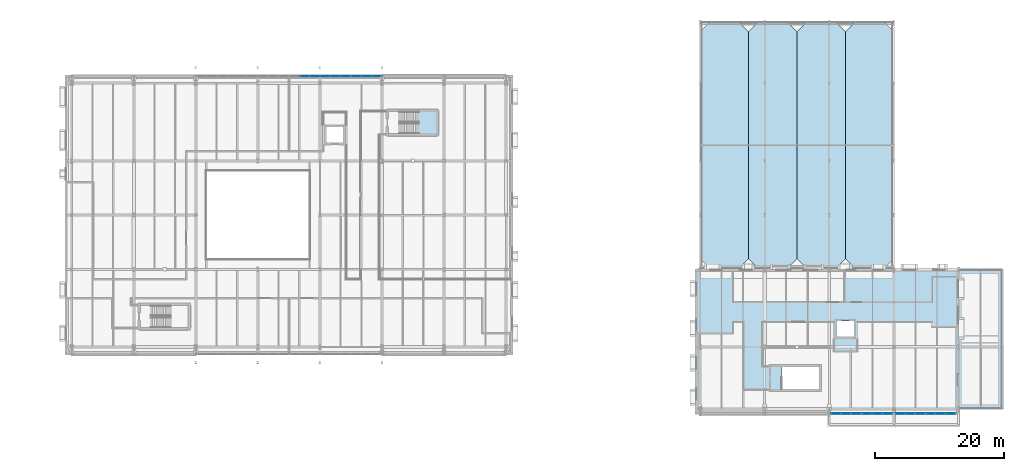
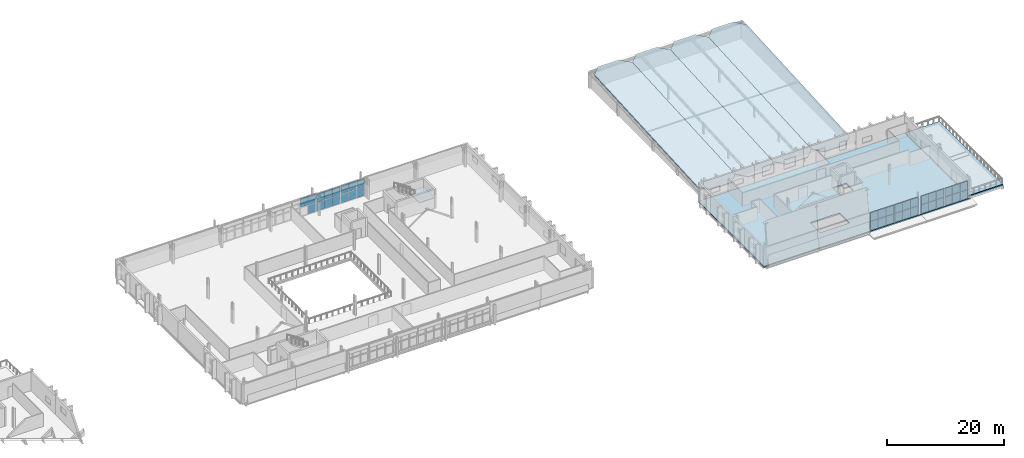
# One storey, part 31 of 57: 39 plates, 7 slabs, 9 elements without a shape of their own.
"""IFC4 building model written with IfcOpenShell, lengths in metres."""

from ifc_helpers import new_model, si_unit, direction, frame, origin, origin_2d, place, context, subcontext, project, spatial, polyline, rectangle, outline, extrude, material, layer, layer_set, type_object, element, aggregate, save


model = new_model("IFC4")

# Units and contexts
model_context = context("Model", 3, precision=1e-05, world=origin(), true_north=direction((0.0, 1.0)))
body_context = subcontext(model_context, "Body", "Model", "MODEL_VIEW")
ifc_project = project(units=[si_unit("LENGTHUNIT", "METRE"), si_unit("AREAUNIT", "SQUARE_METRE"), si_unit("VOLUMEUNIT", "CUBIC_METRE"), si_unit("PLANEANGLEUNIT", "RADIAN"), si_unit("MASSUNIT", "GRAM", prefix="KILO")], contexts=[model_context])

# Site, building, storey
site_placement = place(None, origin())
site = spatial("IfcSite", under=ifc_project, at=site_placement, CompositionType="ELEMENT")
building_placement = place(site_placement, origin())
building = spatial("IfcBuilding", under=site, at=building_placement, Name="Zereglee Splitstone Museum", CompositionType="ELEMENT")
storey_placement = place(building_placement, frame((0.0, 0.0, 17.10009765625)))
storey = spatial("IfcBuildingStorey", under=building, at=storey_placement, Name="L03", CompositionType="ELEMENT", Elevation=17.10009765625)

# Curtain wall, plates
ifc_material_1 = material(Name="Triple-glazed low-E argon glass and bronze-anodised aluminium", Category="aluminium")
ifc_layer_1 = layer(ifc_material_1, 0.219970703125)
ifc_layer_set_1 = layer_set([ifc_layer_1], Name="Triple-glazed low-E argon glass and bronze-anodised aluminium")
curtain_wall_type_1 = type_object("IfcCurtainWallType", Name="CW-0475-384", PredefinedType="USERDEFINED", material=ifc_layer_set_1)
curtain_wall_1_placement = place(storey_placement, origin())
curtain_wall_1 = element("IfcCurtainWall", 1, at=curtain_wall_1_placement, inside=storey, type_object=curtain_wall_type_1, Name="Glazed Curtain Wall CW-0475-384 (L03)", ObjectType="GLAZED CURTAIN WALL", PredefinedType="USERDEFINED")
ifc_material_2 = material(Name="Triple low-e argon insulated safety glass", Category="glass")
ifc_layer_2 = layer(ifc_material_2, 0.035888671875)
ifc_layer_set_2 = layer_set([ifc_layer_2], Name="Triple low-e argon insulated safety glass")
plate_type = type_object("IfcPlateType", Name="CWP-01", PredefinedType="CURTAIN_PANEL", material=ifc_layer_set_2)
plate_1_placement = place(storey_placement, frame((196.218505859375, -0.679931640625, 0.074951171875), z_axis=(0.0, 0.0, 1.0), x_axis=(1.0, 0.0, 0.0)))
plate_1 = element("IfcPlate", 2, at=plate_1_placement, type_object=plate_type, Name="CW-0475-384 panel 1.1", PredefinedType="CURTAIN_PANEL", context=body_context, shape_type="SweptSolid", body=[
    extrude(rectangle(XDim=1.470947265625, YDim=0.035888671875, at=origin_2d()), origin(), (0.0, 0.0, 1.0), 1.8076171875),
])
plate_2_placement = place(storey_placement, frame((196.218505859375, -0.679931640625, 1.957275390625), z_axis=(0.0, 0.0, 1.0), x_axis=(1.0, 0.0, 0.0)))
plate_2 = element("IfcPlate", 3, at=plate_2_placement, type_object=plate_type, Name="CW-0475-384 panel 1.2", PredefinedType="CURTAIN_PANEL", context=body_context, shape_type="SweptSolid", body=[
    extrude(rectangle(XDim=1.470947265625, YDim=0.035888671875, at=origin_2d()), origin(), (0.0, 0.0, 1.0), 1.8076171875),
])
plate_3_placement = place(storey_placement, frame((197.783203125, -0.679931640625, 0.074951171875), z_axis=(0.0, 0.0, 1.0), x_axis=(1.0, 0.0, 0.0)))
plate_3 = element("IfcPlate", 4, at=plate_3_placement, type_object=plate_type, Name="CW-0475-384 panel 2.1", PredefinedType="CURTAIN_PANEL", context=body_context, shape_type="SweptSolid", body=[
    extrude(rectangle(XDim=1.508544921875, YDim=0.035888671875, at=origin_2d()), origin(), (0.0, 0.0, 1.0), 1.8076171875),
])
plate_4_placement = place(storey_placement, frame((197.783203125, -0.679931640625, 1.957275390625), z_axis=(0.0, 0.0, 1.0), x_axis=(1.0, 0.0, 0.0)))
plate_4 = element("IfcPlate", 5, at=plate_4_placement, type_object=plate_type, Name="CW-0475-384 panel 2.2", PredefinedType="CURTAIN_PANEL", context=body_context, shape_type="SweptSolid", body=[
    extrude(rectangle(XDim=1.508544921875, YDim=0.035888671875, at=origin_2d()), origin(), (0.0, 0.0, 1.0), 1.8076171875),
])
plate_5_placement = place(storey_placement, frame((199.347900390625, -0.679931640625, 0.074951171875), z_axis=(0.0, 0.0, 1.0), x_axis=(1.0, 0.0, 0.0)))
plate_5 = element("IfcPlate", 6, at=plate_5_placement, type_object=plate_type, Name="CW-0475-384 panel 3.1", PredefinedType="CURTAIN_PANEL", context=body_context, shape_type="SweptSolid", body=[
    extrude(rectangle(XDim=1.470947265625, YDim=0.035888671875, at=origin_2d()), origin(), (0.0, 0.0, 1.0), 1.8076171875),
])
plate_6_placement = place(storey_placement, frame((199.347900390625, -0.679931640625, 1.957275390625), z_axis=(0.0, 0.0, 1.0), x_axis=(1.0, 0.0, 0.0)))
plate_6 = element("IfcPlate", 7, at=plate_6_placement, type_object=plate_type, Name="CW-0475-384 panel 3.2", PredefinedType="CURTAIN_PANEL", context=body_context, shape_type="SweptSolid", body=[
    extrude(rectangle(XDim=1.470947265625, YDim=0.035888671875, at=origin_2d()), origin(), (0.0, 0.0, 1.0), 1.8076171875),
])
aggregate(curtain_wall_1, [plate_1, plate_2, plate_3, plate_4, plate_5, plate_6])

ifc_layer_3 = layer(ifc_material_1, 0.219970703125)
ifc_layer_set_3 = layer_set([ifc_layer_3], Name="Triple-glazed low-E argon glass and bronze-anodised aluminium")
curtain_wall_type_2 = type_object("IfcCurtainWallType", Name="CW-0475-382", PredefinedType="USERDEFINED", material=ifc_layer_set_3)
curtain_wall_2_placement = place(storey_placement, origin())
curtain_wall_2 = element("IfcCurtainWall", 8, at=curtain_wall_2_placement, inside=storey, type_object=curtain_wall_type_2, Name="Glazed Curtain Wall CW-0475-382 (L03)", ObjectType="GLAZED CURTAIN WALL", PredefinedType="USERDEFINED")
plate_7_placement = place(storey_placement, frame((201.048828125, -0.679931640625, 0.07470703125), z_axis=(0.0, 0.0, 1.0), x_axis=(1.0, 0.0, 0.0)))
plate_7 = element("IfcPlate", 9, at=plate_7_placement, type_object=plate_type, Name="CW-0475-382 panel 1.1", PredefinedType="CURTAIN_PANEL", context=body_context, shape_type="SweptSolid", body=[
    extrude(rectangle(XDim=1.470947265625, YDim=0.035888671875, at=origin_2d()), origin(), (0.0, 0.0, 1.0), 1.797607421875),
])
plate_8_placement = place(storey_placement, frame((201.048828125, -0.679931640625, 1.947265625), z_axis=(0.0, 0.0, 1.0), x_axis=(1.0, 0.0, 0.0)))
plate_8 = element("IfcPlate", 10, at=plate_8_placement, type_object=plate_type, Name="CW-0475-382 panel 1.2", PredefinedType="CURTAIN_PANEL", context=body_context, shape_type="SweptSolid", body=[
    extrude(rectangle(XDim=1.470947265625, YDim=0.035888671875, at=origin_2d()), origin(), (0.0, 0.0, 1.0), 1.797607421875),
])
plate_9_placement = place(storey_placement, frame((202.613525390625, -0.679931640625, 0.07470703125), z_axis=(0.0, 0.0, 1.0), x_axis=(1.0, 0.0, 0.0)))
plate_9 = element("IfcPlate", 11, at=plate_9_placement, type_object=plate_type, Name="CW-0475-382 panel 2.1", PredefinedType="CURTAIN_PANEL", context=body_context, shape_type="SweptSolid", body=[
    extrude(rectangle(XDim=1.508544921875, YDim=0.035888671875, at=origin_2d()), origin(), (0.0, 0.0, 1.0), 1.797607421875),
])
plate_10_placement = place(storey_placement, frame((202.613525390625, -0.679931640625, 1.947265625), z_axis=(0.0, 0.0, 1.0), x_axis=(1.0, 0.0, 0.0)))
plate_10 = element("IfcPlate", 12, at=plate_10_placement, type_object=plate_type, Name="CW-0475-382 panel 2.2", PredefinedType="CURTAIN_PANEL", context=body_context, shape_type="SweptSolid", body=[
    extrude(rectangle(XDim=1.508544921875, YDim=0.035888671875, at=origin_2d()), origin(), (0.0, 0.0, 1.0), 1.797607421875),
])
plate_11_placement = place(storey_placement, frame((204.17822265625, -0.679931640625, 0.07470703125), z_axis=(0.0, 0.0, 1.0), x_axis=(1.0, 0.0, 0.0)))
plate_11 = element("IfcPlate", 13, at=plate_11_placement, type_object=plate_type, Name="CW-0475-382 panel 3.1", PredefinedType="CURTAIN_PANEL", context=body_context, shape_type="SweptSolid", body=[
    extrude(rectangle(XDim=1.470947265625, YDim=0.035888671875, at=origin_2d()), origin(), (0.0, 0.0, 1.0), 1.797607421875),
])
plate_12_placement = place(storey_placement, frame((204.17822265625, -0.679931640625, 1.947265625), z_axis=(0.0, 0.0, 1.0), x_axis=(1.0, 0.0, 0.0)))
plate_12 = element("IfcPlate", 14, at=plate_12_placement, type_object=plate_type, Name="CW-0475-382 panel 3.2", PredefinedType="CURTAIN_PANEL", context=body_context, shape_type="SweptSolid", body=[
    extrude(rectangle(XDim=1.470947265625, YDim=0.035888671875, at=origin_2d()), origin(), (0.0, 0.0, 1.0), 1.797607421875),
])
aggregate(curtain_wall_2, [plate_7, plate_8, plate_9, plate_10, plate_11, plate_12])

ifc_layer_4 = layer(ifc_material_1, 0.219970703125)
ifc_layer_set_4 = layer_set([ifc_layer_4], Name="Triple-glazed low-E argon glass and bronze-anodised aluminium")
curtain_wall_type_3 = type_object("IfcCurtainWallType", Name="CW-0462-378", PredefinedType="USERDEFINED", material=ifc_layer_set_4)
curtain_wall_3_placement = place(storey_placement, origin())
curtain_wall_3 = element("IfcCurtainWall", 15, at=curtain_wall_3_placement, inside=storey, type_object=curtain_wall_type_3, Name="Glazed Curtain Wall CW-0462-378 (L03)", ObjectType="GLAZED CURTAIN WALL", PredefinedType="USERDEFINED")
plate_13_placement = place(storey_placement, frame((206.19921875, -0.679931640625, 0.07470703125), z_axis=(0.0, 0.0, 1.0), x_axis=(1.0, 0.0, 0.0)))
plate_13 = element("IfcPlate", 16, at=plate_13_placement, type_object=plate_type, Name="CW-0462-378 panel 1.1", PredefinedType="CURTAIN_PANEL", context=body_context, shape_type="SweptSolid", body=[
    extrude(rectangle(XDim=1.426025390625, YDim=0.035888671875, at=origin_2d()), origin(), (0.0, 0.0, 1.0), 1.777587890625),
])
plate_14_placement = place(storey_placement, frame((206.19921875, -0.679931640625, 1.92724609375), z_axis=(0.0, 0.0, 1.0), x_axis=(1.0, 0.0, 0.0)))
plate_14 = element("IfcPlate", 17, at=plate_14_placement, type_object=plate_type, Name="CW-0462-378 panel 1.2", PredefinedType="CURTAIN_PANEL", context=body_context, shape_type="SweptSolid", body=[
    extrude(rectangle(XDim=1.426025390625, YDim=0.035888671875, at=origin_2d()), origin(), (0.0, 0.0, 1.0), 1.777587890625),
])
plate_15_placement = place(storey_placement, frame((207.718994140625, -0.679931640625, 0.07470703125), z_axis=(0.0, 0.0, 1.0), x_axis=(1.0, 0.0, 0.0)))
plate_15 = element("IfcPlate", 18, at=plate_15_placement, type_object=plate_type, Name="CW-0462-378 panel 2.1", PredefinedType="CURTAIN_PANEL", context=body_context, shape_type="SweptSolid", body=[
    extrude(rectangle(XDim=1.46337890625, YDim=0.035888671875, at=origin_2d()), origin(), (0.0, 0.0, 1.0), 1.777587890625),
])
plate_16_placement = place(storey_placement, frame((207.718994140625, -0.679931640625, 1.92724609375), z_axis=(0.0, 0.0, 1.0), x_axis=(1.0, 0.0, 0.0)))
plate_16 = element("IfcPlate", 19, at=plate_16_placement, type_object=plate_type, Name="CW-0462-378 panel 2.2", PredefinedType="CURTAIN_PANEL", context=body_context, shape_type="SweptSolid", body=[
    extrude(rectangle(XDim=1.46337890625, YDim=0.035888671875, at=origin_2d()), origin(), (0.0, 0.0, 1.0), 1.777587890625),
])
plate_17_placement = place(storey_placement, frame((209.238525390625, -0.679931640625, 0.07470703125), z_axis=(0.0, 0.0, 1.0), x_axis=(1.0, 0.0, 0.0)))
plate_17 = element("IfcPlate", 20, at=plate_17_placement, type_object=plate_type, Name="CW-0462-378 panel 3.1", PredefinedType="CURTAIN_PANEL", context=body_context, shape_type="SweptSolid", body=[
    extrude(rectangle(XDim=1.426025390625, YDim=0.035888671875, at=origin_2d()), origin(), (0.0, 0.0, 1.0), 1.777587890625),
])
plate_18_placement = place(storey_placement, frame((209.238525390625, -0.679931640625, 1.92724609375), z_axis=(0.0, 0.0, 1.0), x_axis=(1.0, 0.0, 0.0)))
plate_18 = element("IfcPlate", 21, at=plate_18_placement, type_object=plate_type, Name="CW-0462-378 panel 3.2", PredefinedType="CURTAIN_PANEL", context=body_context, shape_type="SweptSolid", body=[
    extrude(rectangle(XDim=1.426025390625, YDim=0.035888671875, at=origin_2d()), origin(), (0.0, 0.0, 1.0), 1.777587890625),
])
aggregate(curtain_wall_3, [plate_13, plate_14, plate_15, plate_16, plate_17, plate_18])

ifc_layer_5 = layer(ifc_material_1, 0.219970703125)
ifc_layer_set_5 = layer_set([ifc_layer_5], Name="Triple-glazed low-E argon glass and bronze-anodised aluminium")
curtain_wall_type_4 = type_object("IfcCurtainWallType", Name="CW-0462-376", PredefinedType="USERDEFINED", material=ifc_layer_set_5)
curtain_wall_4_placement = place(storey_placement, origin())
curtain_wall_4 = element("IfcCurtainWall", 22, at=curtain_wall_4_placement, inside=storey, type_object=curtain_wall_type_4, Name="Glazed Curtain Wall CW-0462-376 (L03)", ObjectType="GLAZED CURTAIN WALL", PredefinedType="USERDEFINED")
plate_19_placement = place(storey_placement, frame((210.89453125, -0.679931640625, 0.074951171875), z_axis=(0.0, 0.0, 1.0), x_axis=(1.0, 0.0, 0.0)))
plate_19 = element("IfcPlate", 23, at=plate_19_placement, type_object=plate_type, Name="CW-0462-376 panel 1.1", PredefinedType="CURTAIN_PANEL", context=body_context, shape_type="SweptSolid", body=[
    extrude(rectangle(XDim=1.426025390625, YDim=0.035888671875, at=origin_2d()), origin(), (0.0, 0.0, 1.0), 1.767578125),
])
plate_20_placement = place(storey_placement, frame((210.89453125, -0.679931640625, 1.91748046875), z_axis=(0.0, 0.0, 1.0), x_axis=(1.0, 0.0, 0.0)))
plate_20 = element("IfcPlate", 24, at=plate_20_placement, type_object=plate_type, Name="CW-0462-376 panel 1.2", PredefinedType="CURTAIN_PANEL", context=body_context, shape_type="SweptSolid", body=[
    extrude(rectangle(XDim=1.426025390625, YDim=0.035888671875, at=origin_2d()), origin(), (0.0, 0.0, 1.0), 1.767578125),
])
plate_21_placement = place(storey_placement, frame((212.414306640625, -0.679931640625, 0.074951171875), z_axis=(0.0, 0.0, 1.0), x_axis=(1.0, 0.0, 0.0)))
plate_21 = element("IfcPlate", 25, at=plate_21_placement, type_object=plate_type, Name="CW-0462-376 panel 2.1", PredefinedType="CURTAIN_PANEL", context=body_context, shape_type="SweptSolid", body=[
    extrude(rectangle(XDim=1.46337890625, YDim=0.035888671875, at=origin_2d()), origin(), (0.0, 0.0, 1.0), 1.767578125),
])
plate_22_placement = place(storey_placement, frame((212.414306640625, -0.679931640625, 1.91748046875), z_axis=(0.0, 0.0, 1.0), x_axis=(1.0, 0.0, 0.0)))
plate_22 = element("IfcPlate", 26, at=plate_22_placement, type_object=plate_type, Name="CW-0462-376 panel 2.2", PredefinedType="CURTAIN_PANEL", context=body_context, shape_type="SweptSolid", body=[
    extrude(rectangle(XDim=1.46337890625, YDim=0.035888671875, at=origin_2d()), origin(), (0.0, 0.0, 1.0), 1.767578125),
])
plate_23_placement = place(storey_placement, frame((213.93408203125, -0.679931640625, 0.074951171875), z_axis=(0.0, 0.0, 1.0), x_axis=(1.0, 0.0, 0.0)))
plate_23 = element("IfcPlate", 27, at=plate_23_placement, type_object=plate_type, Name="CW-0462-376 panel 3.1", PredefinedType="CURTAIN_PANEL", context=body_context, shape_type="SweptSolid", body=[
    extrude(rectangle(XDim=1.426025390625, YDim=0.035888671875, at=origin_2d()), origin(), (0.0, 0.0, 1.0), 1.767578125),
])
plate_24_placement = place(storey_placement, frame((213.93408203125, -0.679931640625, 1.91748046875), z_axis=(0.0, 0.0, 1.0), x_axis=(1.0, 0.0, 0.0)))
plate_24 = element("IfcPlate", 28, at=plate_24_placement, type_object=plate_type, Name="CW-0462-376 panel 3.2", PredefinedType="CURTAIN_PANEL", context=body_context, shape_type="SweptSolid", body=[
    extrude(rectangle(XDim=1.426025390625, YDim=0.035888671875, at=origin_2d()), origin(), (0.0, 0.0, 1.0), 1.767578125),
])
aggregate(curtain_wall_4, [plate_19, plate_20, plate_21, plate_22, plate_23, plate_24])

ifc_layer_6 = layer(ifc_material_1, 0.219970703125)
ifc_layer_set_6 = layer_set([ifc_layer_6], Name="Triple-glazed low-E argon glass and bronze-anodised aluminium")
curtain_wall_type_5 = type_object("IfcCurtainWallType", Name="CW-0476-378", PredefinedType="USERDEFINED", material=ifc_layer_set_6)
curtain_wall_5_placement = place(storey_placement, origin())
curtain_wall_5 = element("IfcCurtainWall", 29, at=curtain_wall_5_placement, inside=storey, type_object=curtain_wall_type_5, Name="Glazed Curtain Wall CW-0476-378 (L03)", ObjectType="GLAZED CURTAIN WALL", PredefinedType="USERDEFINED")
plate_25_placement = place(storey_placement, frame((125.18798828125, 51.47998046875, 0.07470703125), z_axis=(0.0, 0.0, 1.0), x_axis=(-1.0, 0.0, 0.0)))
plate_25 = element("IfcPlate", 30, at=plate_25_placement, type_object=plate_type, Name="CW-0476-378 panel 1.1", PredefinedType="CURTAIN_PANEL", context=body_context, shape_type="SweptSolid", body=[
    extrude(rectangle(XDim=1.47412109375, YDim=0.035888671875, at=origin_2d()), origin(), (0.0, 0.0, 1.0), 1.777587890625),
])
plate_26_placement = place(storey_placement, frame((125.18798828125, 51.47998046875, 1.92724609375), z_axis=(0.0, 0.0, 1.0), x_axis=(-1.0, 0.0, 0.0)))
plate_26 = element("IfcPlate", 31, at=plate_26_placement, type_object=plate_type, Name="CW-0476-378 panel 1.2", PredefinedType="CURTAIN_PANEL", context=body_context, shape_type="SweptSolid", body=[
    extrude(rectangle(XDim=1.47412109375, YDim=0.035888671875, at=origin_2d()), origin(), (0.0, 0.0, 1.0), 1.777587890625),
])
plate_27_placement = place(storey_placement, frame((123.6201171875, 51.47998046875, 0.07470703125), z_axis=(0.0, 0.0, 1.0), x_axis=(-1.0, 0.0, 0.0)))
plate_27 = element("IfcPlate", 32, at=plate_27_placement, type_object=plate_type, Name="CW-0476-378 panel 2.1", PredefinedType="CURTAIN_PANEL", context=body_context, shape_type="SweptSolid", body=[
    extrude(rectangle(XDim=1.51171875, YDim=0.035888671875, at=origin_2d()), origin(), (0.0, 0.0, 1.0), 1.777587890625),
])
plate_28_placement = place(storey_placement, frame((123.6201171875, 51.47998046875, 1.92724609375), z_axis=(0.0, 0.0, 1.0), x_axis=(-1.0, 0.0, 0.0)))
plate_28 = element("IfcPlate", 33, at=plate_28_placement, type_object=plate_type, Name="CW-0476-378 panel 2.2", PredefinedType="CURTAIN_PANEL", context=body_context, shape_type="SweptSolid", body=[
    extrude(rectangle(XDim=1.51171875, YDim=0.035888671875, at=origin_2d()), origin(), (0.0, 0.0, 1.0), 1.777587890625),
])
plate_29_placement = place(storey_placement, frame((122.052001953125, 51.47998046875, 0.07470703125), z_axis=(0.0, 0.0, 1.0), x_axis=(-1.0, 0.0, 0.0)))
plate_29 = element("IfcPlate", 34, at=plate_29_placement, type_object=plate_type, Name="CW-0476-378 panel 3.1", PredefinedType="CURTAIN_PANEL", context=body_context, shape_type="SweptSolid", body=[
    extrude(rectangle(XDim=1.47412109375, YDim=0.035888671875, at=origin_2d()), origin(), (0.0, 0.0, 1.0), 1.777587890625),
])
plate_30_placement = place(storey_placement, frame((122.052001953125, 51.47998046875, 1.92724609375), z_axis=(0.0, 0.0, 1.0), x_axis=(-1.0, 0.0, 0.0)))
plate_30 = element("IfcPlate", 35, at=plate_30_placement, type_object=plate_type, Name="CW-0476-378 panel 3.2", PredefinedType="CURTAIN_PANEL", context=body_context, shape_type="SweptSolid", body=[
    extrude(rectangle(XDim=1.47412109375, YDim=0.035888671875, at=origin_2d()), origin(), (0.0, 0.0, 1.0), 1.777587890625),
])
aggregate(curtain_wall_5, [plate_25, plate_26, plate_27, plate_28, plate_29, plate_30])

ifc_layer_7 = layer(ifc_material_1, 0.219970703125)
ifc_layer_set_7 = layer_set([ifc_layer_7], Name="Triple-glazed low-E argon glass and bronze-anodised aluminium")
curtain_wall_type_6 = type_object("IfcCurtainWallType", Name="CW-0476-376", PredefinedType="USERDEFINED", material=ifc_layer_set_7)
curtain_wall_6_placement = place(storey_placement, origin())
curtain_wall_6 = element("IfcCurtainWall", 36, at=curtain_wall_6_placement, inside=storey, type_object=curtain_wall_type_6, Name="Glazed Curtain Wall CW-0476-376 (L03)", ObjectType="GLAZED CURTAIN WALL", PredefinedType="USERDEFINED")
plate_31_placement = place(storey_placement, frame((120.347900390625, 51.47998046875, 0.074951171875), z_axis=(0.0, 0.0, 1.0), x_axis=(-1.0, 0.0, 0.0)))
plate_31 = element("IfcPlate", 37, at=plate_31_placement, type_object=plate_type, Name="CW-0476-376 panel 1.1", PredefinedType="CURTAIN_PANEL", context=body_context, shape_type="SweptSolid", body=[
    extrude(rectangle(XDim=1.47412109375, YDim=0.035888671875, at=origin_2d()), origin(), (0.0, 0.0, 1.0), 1.767578125),
])
plate_32_placement = place(storey_placement, frame((120.347900390625, 51.47998046875, 1.91748046875), z_axis=(0.0, 0.0, 1.0), x_axis=(-1.0, 0.0, 0.0)))
plate_32 = element("IfcPlate", 38, at=plate_32_placement, type_object=plate_type, Name="CW-0476-376 panel 1.2", PredefinedType="CURTAIN_PANEL", context=body_context, shape_type="SweptSolid", body=[
    extrude(rectangle(XDim=1.47412109375, YDim=0.035888671875, at=origin_2d()), origin(), (0.0, 0.0, 1.0), 1.767578125),
])
plate_33_placement = place(storey_placement, frame((118.780029296875, 51.47998046875, 0.074951171875), z_axis=(0.0, 0.0, 1.0), x_axis=(-1.0, 0.0, 0.0)))
plate_33 = element("IfcPlate", 39, at=plate_33_placement, type_object=plate_type, Name="CW-0476-376 panel 2.1", PredefinedType="CURTAIN_PANEL", context=body_context, shape_type="SweptSolid", body=[
    extrude(rectangle(XDim=1.51171875, YDim=0.035888671875, at=origin_2d()), origin(), (0.0, 0.0, 1.0), 1.767578125),
])
plate_34_placement = place(storey_placement, frame((118.780029296875, 51.47998046875, 1.91748046875), z_axis=(0.0, 0.0, 1.0), x_axis=(-1.0, 0.0, 0.0)))
plate_34 = element("IfcPlate", 40, at=plate_34_placement, type_object=plate_type, Name="CW-0476-376 panel 2.2", PredefinedType="CURTAIN_PANEL", context=body_context, shape_type="SweptSolid", body=[
    extrude(rectangle(XDim=1.51171875, YDim=0.035888671875, at=origin_2d()), origin(), (0.0, 0.0, 1.0), 1.767578125),
])
plate_35_placement = place(storey_placement, frame((117.212158203125, 51.47998046875, 0.074951171875), z_axis=(0.0, 0.0, 1.0), x_axis=(-1.0, 0.0, 0.0)))
plate_35 = element("IfcPlate", 41, at=plate_35_placement, type_object=plate_type, Name="CW-0476-376 panel 3.1", PredefinedType="CURTAIN_PANEL", context=body_context, shape_type="SweptSolid", body=[
    extrude(rectangle(XDim=1.47412109375, YDim=0.035888671875, at=origin_2d()), origin(), (0.0, 0.0, 1.0), 1.767578125),
])
plate_36_placement = place(storey_placement, frame((117.212158203125, 51.47998046875, 1.91748046875), z_axis=(0.0, 0.0, 1.0), x_axis=(-1.0, 0.0, 0.0)))
plate_36 = element("IfcPlate", 42, at=plate_36_placement, type_object=plate_type, Name="CW-0476-376 panel 3.2", PredefinedType="CURTAIN_PANEL", context=body_context, shape_type="SweptSolid", body=[
    extrude(rectangle(XDim=1.47412109375, YDim=0.035888671875, at=origin_2d()), origin(), (0.0, 0.0, 1.0), 1.767578125),
])
aggregate(curtain_wall_6, [plate_31, plate_32, plate_33, plate_34, plate_35, plate_36])

ifc_layer_8 = layer(ifc_material_1, 0.219970703125)
ifc_layer_set_8 = layer_set([ifc_layer_8], Name="Triple-glazed low-E argon glass and bronze-anodised aluminium")
curtain_wall_type_7 = type_object("IfcCurtainWallType", Name="CW-0476-390", PredefinedType="USERDEFINED", material=ifc_layer_set_8)
curtain_wall_7_placement = place(storey_placement, origin())
curtain_wall_7 = element("IfcCurtainWall", 43, at=curtain_wall_7_placement, inside=storey, type_object=curtain_wall_type_7, Name="Glazed Curtain Wall CW-0476-390 (L03)", ObjectType="GLAZED CURTAIN WALL", PredefinedType="USERDEFINED")
plate_37_placement = place(storey_placement, frame((115.587890625, 51.47998046875, 0.074951171875), z_axis=(0.0, 0.0, 1.0), x_axis=(-1.0, 0.0, 0.0)))
plate_37 = element("IfcPlate", 44, at=plate_37_placement, type_object=plate_type, Name="CW-0476-390 panel 1.1", PredefinedType="CURTAIN_PANEL", context=body_context, shape_type="SweptSolid", body=[
    extrude(rectangle(XDim=1.47412109375, YDim=0.035888671875, at=origin_2d()), origin(), (0.0, 0.0, 1.0), 1.83740234375),
])
plate_38_placement = place(storey_placement, frame((115.587890625, 51.47998046875, 1.987548828125), z_axis=(0.0, 0.0, 1.0), x_axis=(-1.0, 0.0, 0.0)))
plate_38 = element("IfcPlate", 45, at=plate_38_placement, type_object=plate_type, Name="CW-0476-390 panel 1.2", PredefinedType="CURTAIN_PANEL", context=body_context, shape_type="SweptSolid", body=[
    extrude(rectangle(XDim=1.47412109375, YDim=0.035888671875, at=origin_2d()), origin(), (0.0, 0.0, 1.0), 1.83740234375),
])
plate_39_placement = place(storey_placement, frame((114.02001953125, 51.47998046875, 1.987548828125), z_axis=(0.0, 0.0, 1.0), x_axis=(-1.0, 0.0, 0.0)))
plate_39 = element("IfcPlate", 46, at=plate_39_placement, type_object=plate_type, Name="CW-0476-390 panel 2.2", PredefinedType="CURTAIN_PANEL", context=body_context, shape_type="SweptSolid", body=[
    extrude(rectangle(XDim=1.51171875, YDim=0.035888671875, at=origin_2d()), origin(), (0.0, 0.0, 1.0), 1.83740234375),
])
aggregate(curtain_wall_7, [plate_37, plate_38, plate_39])

# Slab
ifc_material_3 = material(Name="Concrete C35/45", Category="concrete")
ifc_layer_9 = layer(ifc_material_3, 0.280029296875)
ifc_layer_set_9 = layer_set([ifc_layer_9], Name="Concrete C35/45")
slab_type_1 = type_object("IfcSlabType", Name="FS-04", PredefinedType="FLOOR", material=ifc_layer_set_9)
slab_1_placement = place(storey_placement, frame((0.0, 0.0, -0.280029296875)))
element("IfcSlab", 47, at=slab_1_placement, inside=storey, type_object=slab_type_1, Name="Gallery Floor Slab L03-V3", PredefinedType="FLOOR", context=body_context, shape_type="SweptSolid", body=[
    extrude(outline(polyline([(174.5, -0.800048828125), (215.199951171875, -0.800048828125), (215.199951171875, 21.60009765625), (174.5, 21.60009765625), (174.5, -0.800048828125)]), holes=[polyline([(187.85400390625, 3.10009765625), (193.60009765625, 3.10009765625), (193.60009765625, 6.5), (187.85400390625, 6.5), (187.85400390625, 3.10009765625)]), polyline([(196.39990234375, 11.199951171875), (199.0, 11.199951171875), (199.0, 13.60009765625), (196.39990234375, 13.60009765625), (196.39990234375, 11.199951171875)])]), origin(), (0.0, 0.0, 1.0), 0.280029296875),
])

# Roof, slabs
ifc_material_4 = material(Name="Standing-seam zinc roofing on Concrete C35/45", Category="concrete")
ifc_layer_10 = layer(ifc_material_4, 0.219970703125)
ifc_layer_set_10 = layer_set([ifc_layer_10], Name="Concrete C35/45")
roof_type = type_object("IfcRoofType", Name="RF-A1", PredefinedType="SHED_ROOF", material=ifc_layer_set_10)
roof_placement = place(storey_placement, origin())
roof = element("IfcRoof", 48, at=roof_placement, inside=storey, type_object=roof_type, Name="Sloping Split-Rock Roof Assembly RF-V4", PredefinedType="SHED_ROOF")
ifc_layer_11 = layer(ifc_material_3, 0.18994140625)
ifc_layer_set_11 = layer_set([ifc_layer_11], Name="Concrete C35/45")
slab_type_2 = type_object("IfcSlabType", Name="RS-03", PredefinedType="ROOF", material=ifc_layer_set_11)
slab_2_placement = place(storey_placement, frame((176.85009765625, 21.60009765625, 1.64990234375), z_axis=(0.0, -0.057197232802, 0.998362898229), x_axis=(1.0, 0.0, 0.0)))
slab_2 = element("IfcSlab", 49, at=slab_2_placement, type_object=slab_type_2, Name="Split-Rock Roof Slab RF-V4 Panel 1", PredefinedType="ROOF", context=body_context, shape_type="SweptSolid", body=[
    extrude(outline(polyline([(0.0, 0.0), (4.199951171875, 0.0), (5.849853515625, 1.652605418780408), (5.849853515625, 36.8102634961592), (4.199951171875, 38.462868914939605), (0.0, 38.462868914939605), (-1.650146484375, 36.8102634961592), (-1.650146484375, 1.652605418780408), (0.0, 0.0)])), origin(), (0.0, 0.0, -1.0), 0.18994140625),
])
slab_3_placement = place(storey_placement, frame((184.35009765625, 21.60009765625, 1.64990234375), z_axis=(0.0, -0.057197232802, 0.998362898229), x_axis=(1.0, 0.0, 0.0)))
slab_3 = element("IfcSlab", 50, at=slab_3_placement, type_object=slab_type_2, Name="Split-Rock Roof Slab RF-V4 Panel 2", PredefinedType="ROOF", context=body_context, shape_type="SweptSolid", body=[
    extrude(outline(polyline([(0.0, 0.0), (4.199951171875, 0.0), (5.849853515625, 1.652605418780408), (5.849853515625, 36.8102634961592), (4.199951171875, 38.462868914939605), (0.0, 38.462868914939605), (-1.650146484375, 36.8102634961592), (-1.650146484375, 1.652605418780408), (0.0, 0.0)])), origin(), (0.0, 0.0, -1.0), 0.18994140625),
])
slab_4_placement = place(storey_placement, frame((191.85009765625, 21.60009765625, 1.64990234375), z_axis=(0.0, -0.057197232802, 0.998362898229), x_axis=(1.0, 0.0, 0.0)))
slab_4 = element("IfcSlab", 51, at=slab_4_placement, type_object=slab_type_2, Name="Split-Rock Roof Slab RF-V4 Panel 3", PredefinedType="ROOF", context=body_context, shape_type="SweptSolid", body=[
    extrude(outline(polyline([(0.0, 0.0), (4.199951171875, 0.0), (5.849853515625, 1.652605418780408), (5.849853515625, 36.8102634961592), (4.199951171875, 38.462868914939605), (0.0, 38.462868914939605), (-1.650146484375, 36.8102634961592), (-1.650146484375, 1.652605418780408), (0.0, 0.0)])), origin(), (0.0, 0.0, -1.0), 0.18994140625),
])
slab_5_placement = place(storey_placement, frame((199.35009765625, 21.60009765625, 1.64990234375), z_axis=(0.0, -0.057197232802, 0.998362898229), x_axis=(1.0, 0.0, 0.0)))
slab_5 = element("IfcSlab", 52, at=slab_5_placement, type_object=slab_type_2, Name="Split-Rock Roof Slab RF-V4 Panel 4", PredefinedType="ROOF", context=body_context, shape_type="SweptSolid", body=[
    extrude(outline(polyline([(0.0, 0.0), (4.199951171875, 0.0), (5.849853515625, 1.652605418780408), (5.849853515625, 36.8102634961592), (4.199951171875, 38.462868914939605), (0.0, 38.462868914939605), (-1.650146484375, 36.8102634961592), (-1.650146484375, 1.652605418780408), (0.0, 0.0)])), origin(), (0.0, 0.0, -1.0), 0.18994140625),
])
aggregate(roof, [slab_2, slab_3, slab_4, slab_5])

# Stair, slab
stair_type = type_object("IfcStairType", Name="ST-03B", PredefinedType="HALF_TURN_STAIR", material=ifc_material_3)
stair_placement = place(storey_placement, origin())
stair = element("IfcStair", 53, at=stair_placement, inside=storey, type_object=stair_type, Name="L03 Protected Exit Stair ST-03 B", PredefinedType="HALF_TURN_STAIR")
ifc_layer_12 = layer(ifc_material_3, 0.199951171875)
ifc_layer_set_12 = layer_set([ifc_layer_12], Name="Concrete C35/45")
slab_type_3 = type_object("IfcSlabType", Name="ST-03B", PredefinedType="LANDING", material=ifc_layer_set_12)
slab_6_placement = place(storey_placement, frame((0.0, 0.0, 1.89990234375)))
slab_6 = element("IfcSlab", 54, at=slab_6_placement, type_object=slab_type_3, Name="ST-03B landing 1", PredefinedType="LANDING", context=body_context, shape_type="SweptSolid", body=[
    extrude(outline(polyline([(131.550048828125, 42.4599609375), (134.5400390625, 42.4599609375), (134.5400390625, 46.139892578125), (131.550048828125, 46.139892578125), (131.550048828125, 42.4599609375)])), origin(), (0.0, 0.0, 1.0), 0.199951171875),
])
aggregate(stair, [slab_6])

# Slab
ifc_layer_13 = layer(ifc_material_3, 0.22998046875)
ifc_layer_set_13 = layer_set([ifc_layer_13], Name="Concrete C35/45")
slab_type_4 = type_object("IfcSlabType", Name="TS-02", PredefinedType="FLOOR", material=ifc_layer_set_13)
slab_7_placement = place(storey_placement, frame((0.0, 0.0, -0.22998046875)))
element("IfcSlab", 55, at=slab_7_placement, inside=storey, type_object=slab_type_4, Name="Outdoor Terrace Deck TER-L03-S2", PredefinedType="FLOOR", context=body_context, shape_type="SweptSolid", body=[
    extrude(outline(polyline([(215.199951171875, 0.0), (222.0, 0.0), (222.0, 21.60009765625), (215.199951171875, 21.60009765625), (215.199951171875, 0.0)])), origin(), (0.0, 0.0, 1.0), 0.22998046875),
])

save(model, "model.ifc")
